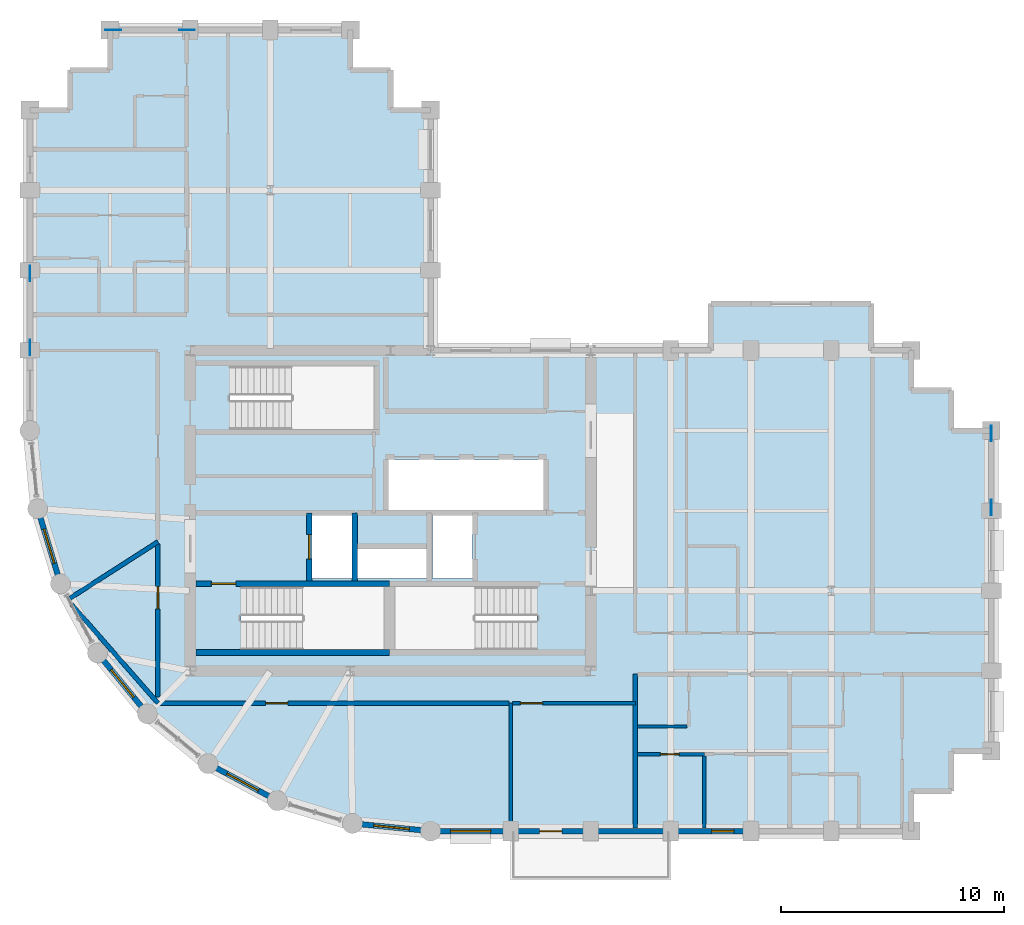
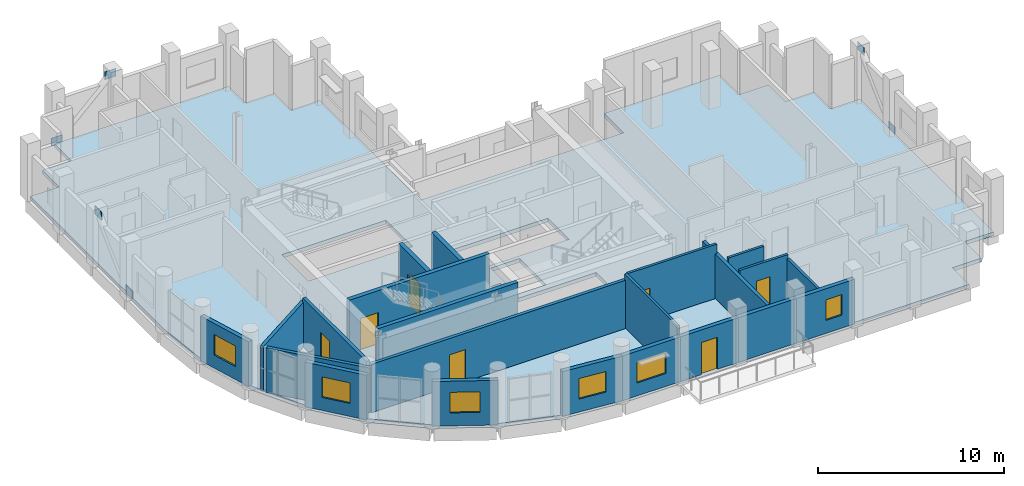
# One storey, part 6 of 12: 22 walls, 7 doors, 6 plates, 6 windows, 1 slab, 13 openings.
"""IFC4 building model written with IfcOpenShell, lengths in metres."""

from ifc_helpers import new_model, si_unit, direction, frame, frame_2d, origin, origin_2d, place, context, subcontext, project, spatial, polyline, rectangle, outline, extrude, material, layer, layer_set, type_object, element, fill, save


model = new_model("IFC4")

# Units and contexts
model_context = context("Model", 3, precision=1e-05, world=origin(), true_north=direction((0.0, 1.0)))
body_context = subcontext(model_context, "Body", "Model", "MODEL_VIEW")
ifc_project = project(units=[si_unit("LENGTHUNIT", "METRE"), si_unit("AREAUNIT", "SQUARE_METRE"), si_unit("VOLUMEUNIT", "CUBIC_METRE"), si_unit("PLANEANGLEUNIT", "RADIAN"), si_unit("MASSUNIT", "GRAM", prefix="KILO")], contexts=[model_context])

# Site, building, storey
site_placement = place(None, origin())
site = spatial("IfcSite", under=ifc_project, at=site_placement, CompositionType="ELEMENT")
building_placement = place(site_placement, origin())
building = spatial("IfcBuilding", under=site, at=building_placement, Name="Solnavia Interchange Tower", CompositionType="ELEMENT")
storey_placement = place(building_placement, frame((0.0, 0.0, 182.39990234375)))
storey = spatial("IfcBuildingStorey", under=building, at=storey_placement, Name="L45", CompositionType="ELEMENT", Elevation=182.39990234375)

# Plates
ifc_material_1 = material(Name="Steel S460", Category="steel")
ifc_layer_1 = layer(ifc_material_1, 0.030029296875)
ifc_layer_set_1 = layer_set([ifc_layer_1], Name="Steel S460")
plate_type = type_object("IfcPlateType", Name="Plate-Gusset-700x520x30", PredefinedType="USERDEFINED", material=ifc_layer_set_1)
for number, where, z_axis, x_axis, name in (
    (1, (7.199951171875, 25.340087890625, -0.079833984375), (0.0, 0.0, 1.0), (0.0, 1.0, 0.0), "PLT-L45-GP01 Perimeter brace gusset plate"),
    (2, (7.199951171875, 28.659912109375, 3.110107421875), (0.0, 0.0, 1.0), (0.0, 1.0, 0.0), "PLT-L45-GP02 Perimeter brace gusset plate"),
    (3, (50.39990234375, 18.139892578125, -0.079833984375), (0.0, 0.0, 1.0), (0.0, 1.0, 0.0), "PLT-L45-GP03 Perimeter brace gusset plate"),
    (4, (50.39990234375, 21.4599609375, 3.110107421875), (0.0, 0.0, 1.0), (0.0, 1.0, 0.0), "PLT-L45-GP04 Perimeter brace gusset plate"),
    (5, (10.93994140625, 39.60009765625, -0.079833984375), (0.0, 0.0, 1.0), (1.0, 0.0, 0.0), "PLT-L45-GP05 Perimeter brace gusset plate"),
    (6, (14.260009765625, 39.60009765625, 3.110107421875), (0.0, 0.0, 1.0), (1.0, 0.0, 0.0), "PLT-L45-GP06 Perimeter brace gusset plate"),
):
    element("IfcPlate", number, at=place(storey_placement, frame(where, z_axis=z_axis, x_axis=x_axis)), inside=storey, type_object=plate_type, Name=name, ObjectType="GUSSET PLATE", PredefinedType="USERDEFINED", context=body_context, shape_type="SweptSolid", body=[
        extrude(rectangle(XDim=0.699951171875, YDim=0.030029296875, at=origin_2d()), origin(), (0.0, 0.0, 1.0), 0.52001953125),
    ])

# Slab
ifc_material_2 = material(Name="Concrete C40/50", Category="concrete")
ifc_layer_2 = layer(ifc_material_2, 0.25)
ifc_layer_set_2 = layer_set([ifc_layer_2], Name="Concrete C40/50")
slab_type = type_object("IfcSlabType", Name="Slab-Tower-250", PredefinedType="FLOOR", material=ifc_layer_set_2)
slab_placement = place(storey_placement, frame((0.0, 0.0, -0.25)))
element("IfcSlab", 7, at=slab_placement, inside=storey, type_object=slab_type, Name="SLB-L45-01 Structural floor slab", PredefinedType="FLOOR", context=body_context, shape_type="SweptSolid", body=[
    extrude(outline(polyline([(25.199951171875, 3.60009765625), (46.800048828125, 3.60009765625), (46.800048828125, 5.39990234375), (48.60009765625, 5.39990234375), (48.60009765625, 7.199951171875), (50.39990234375, 7.199951171875), (50.39990234375, 21.60009765625), (48.60009765625, 21.60009765625), (48.60009765625, 23.39990234375), (46.800048828125, 23.39990234375), (46.800048828125, 25.199951171875), (45.0, 25.199951171875), (45.0, 27.300048828125), (37.800048828125, 27.300048828125), (37.800048828125, 25.199951171875), (25.199951171875, 25.199951171875), (25.199951171875, 36.0), (23.39990234375, 36.0), (23.39990234375, 37.800048828125), (21.60009765625, 37.800048828125), (21.60009765625, 39.60009765625), (10.800048828125, 39.60009765625), (10.800048828125, 37.800048828125), (9.0, 37.800048828125), (9.0, 36.0), (7.199951171875, 36.0), (7.199951171875, 21.60009765625), (7.5458984375, 18.087890625), (8.570068359375, 14.7119140625), (10.23388671875, 11.60009765625), (12.471923828125, 8.8720703125), (15.199951171875, 6.634033203125), (18.31201171875, 4.969970703125), (21.68798828125, 3.946044921875), (25.199951171875, 3.60009765625)]), holes=[polyline([(16.675048828125, 11.75), (23.10009765625, 11.75), (23.10009765625, 14.590087890625), (16.675048828125, 14.590087890625), (16.675048828125, 11.75)]), polyline([(23.60009765625, 11.75), (29.97509765625, 11.75), (29.97509765625, 14.590087890625), (23.60009765625, 14.590087890625), (23.60009765625, 11.75)]), polyline([(16.175048828125, 21.64990234375), (22.64990234375, 21.64990234375), (22.64990234375, 24.489990234375), (16.175048828125, 24.489990234375), (16.175048828125, 21.64990234375)]), polyline([(19.8798828125, 14.9599609375), (21.679931640625, 14.9599609375), (21.679931640625, 17.780029296875), (19.8798828125, 17.780029296875), (19.8798828125, 14.9599609375)]), polyline([(25.280029296875, 14.9599609375), (27.080078125, 14.9599609375), (27.080078125, 17.780029296875), (25.280029296875, 17.780029296875), (25.280029296875, 14.9599609375)]), polyline([(21.919921875, 14.9599609375), (25.02001953125, 14.9599609375), (25.02001953125, 16.280029296875), (21.919921875, 16.280029296875), (21.919921875, 14.9599609375)]), polyline([(23.300048828125, 18.02001953125), (30.280029296875, 18.02001953125), (30.280029296875, 20.300048828125), (23.300048828125, 20.300048828125), (23.300048828125, 18.02001953125)])]), origin(), (0.0, 0.0, 1.0), 0.25),
])

# Walls
ifc_material_3 = material(Name="Gypsum Acoustic Twin-Stud & Mineral Wool", Category="gypsum")
ifc_layer_3 = layer(ifc_material_3, 0.199951171875)
ifc_layer_set_3 = layer_set([ifc_layer_3], Name="Gypsum Acoustic Twin-Stud & Mineral Wool")
wall_type_1 = type_object("IfcWallType", Name="Wall-ApartmentParty-200", PredefinedType="PARTITIONING", material=ifc_layer_set_3)
wall_1_placement = place(storey_placement, frame((12.949951171875, 9.35009765625, 0.0), z_axis=(0.0, 0.0, 1.0), x_axis=(-0.658627575343, 0.752469080426, 0.0)))
element("IfcWall", 8, at=wall_1_placement, inside=storey, type_object=wall_type_1, Name="PTW-L45-09 Interior partition wall", PredefinedType="PARTITIONING", context=body_context, shape_type="SweptSolid", body=[
    extrude(rectangle(XDim=5.903076171875, YDim=0.199951171875, at=frame_2d((2.95166015625, 0.0))), origin(), (0.0, 0.0, 1.0), 2.93017578125),
])
wall_2_placement = place(storey_placement, frame((12.949951171875, 16.60009765625, 0.0), z_axis=(0.0, 0.0, 1.0), x_axis=(-0.841684109651, -0.539970239515, 0.0)))
element("IfcWall", 9, at=wall_2_placement, inside=storey, type_object=wall_type_1, Name="PTW-L45-10 Interior partition wall", PredefinedType="PARTITIONING", context=body_context, shape_type="SweptSolid", body=[
    extrude(rectangle(XDim=4.828369140625, YDim=0.199951171875, at=frame_2d((2.4140625, 0.0))), origin(), (0.0, 0.0, 1.0), 2.93017578125),
])

# Wall, opening, door
wall_3_placement = place(storey_placement, frame((12.949951171875, 9.623291015625, 0.0), z_axis=(0.0, 0.0, 1.0), x_axis=(0.0, 1.0, 0.0)))
wall_3 = element("IfcWall", 10, at=wall_3_placement, inside=storey, type_object=wall_type_1, Name="PTW-L45-12 Interior partition wall", PredefinedType="PARTITIONING", context=body_context, shape_type="SweptSolid", body=[
    extrude(rectangle(XDim=6.872802734375, YDim=0.199951171875, at=frame_2d((3.4365234375, 0.0))), origin(), (0.0, 0.0, 1.0), 3.170166015625),
])
opening_1_placement = place(wall_3_placement, frame((3.9580078125, 0.0, 0.0)))
opening_1 = element("IfcOpeningElement", 11, at=opening_1_placement, cuts=wall_3, Name="Opening DR-07", PredefinedType="OPENING", context=body_context, shape_type="SweptSolid", body=[
    extrude(rectangle(XDim=1.0, YDim=2.10009765625, at=frame_2d((0.5, 1.050048828125))), frame((0.0, 0.10986328125, 0.0), z_axis=(0.0, -1.0, 0.0), x_axis=(1.0, 0.0, 0.0)), (0.0, 0.0, 1.0), 0.219970703125),
])
ifc_material_4 = material(Name="Timber & Acoustic Glazed Office Door", Category="wood")
door_type_1 = type_object("IfcDoorType", Name="Door-Office-1000x2100", OperationType="SINGLE_SWING_RIGHT", PredefinedType="DOOR", material=ifc_material_4)
door_1_placement = place(opening_1_placement, origin())
door_1 = element("IfcDoor", 12, at=door_1_placement, inside=storey, type_object=door_type_1, Name="DR-L45-04 Interior room door", OperationType="SINGLE_SWING_RIGHT", OverallHeight=2.10009765625, OverallWidth=1.0, PredefinedType="DOOR", context=body_context, shape_type="SweptSolid", body=[
    extrude(rectangle(XDim=1.0, YDim=2.10009765625, at=frame_2d((0.5, 1.050048828125))), frame((0.0, 0.02490234375, 0.0), z_axis=(0.0, -1.0, 0.0), x_axis=(1.0, 0.0, 0.0)), (0.0, 0.0, 1.0), 0.050048828125),
])
fill(opening_1, door_1)

wall_4_placement = place(storey_placement, frame((12.949951171875, 9.35009765625, 0.0), z_axis=(0.0, 0.0, 1.0), x_axis=(1.0, 0.0, 0.0)))
wall_4 = element("IfcWall", 13, at=wall_4_placement, inside=storey, type_object=wall_type_1, Name="PTW-L45-13 Interior partition wall", PredefinedType="PARTITIONING", context=body_context, shape_type="SweptSolid", body=[
    extrude(rectangle(XDim=15.77099609375, YDim=0.199951171875, at=frame_2d((7.885498046875, 0.0))), origin(), (0.0, 0.0, 1.0), 3.170166015625),
])
opening_2_placement = place(wall_4_placement, frame((4.8359375, 0.0, 0.0)))
opening_2 = element("IfcOpeningElement", 14, at=opening_2_placement, cuts=wall_4, Name="Opening DR-07", PredefinedType="OPENING", context=body_context, shape_type="SweptSolid", body=[
    extrude(rectangle(XDim=1.0, YDim=2.10009765625, at=frame_2d((0.5, 1.050048828125))), frame((0.0, 0.10986328125, 0.0), z_axis=(0.0, -1.0, 0.0), x_axis=(1.0, 0.0, 0.0)), (0.0, 0.0, 1.0), 0.219970703125),
])
door_2_placement = place(opening_2_placement, origin())
door_2 = element("IfcDoor", 15, at=door_2_placement, inside=storey, type_object=door_type_1, Name="DR-L45-05 Interior room door", OperationType="SINGLE_SWING_LEFT", OverallHeight=2.10009765625, OverallWidth=1.0, PredefinedType="DOOR", context=body_context, shape_type="SweptSolid", body=[
    extrude(rectangle(XDim=1.0, YDim=2.10009765625, at=frame_2d((0.5, 1.050048828125))), frame((0.0, 0.02490234375, 0.0), z_axis=(0.0, -1.0, 0.0), x_axis=(1.0, 0.0, 0.0)), (0.0, 0.0, 1.0), 0.050048828125),
])
fill(opening_2, door_2)

# Wall
wall_5_placement = place(storey_placement, frame((34.39990234375, 3.72900390625, 0.0), z_axis=(0.0, 0.0, 1.0), x_axis=(0.0, 1.0, 0.0)))
element("IfcWall", 16, at=wall_5_placement, inside=storey, type_object=wall_type_1, Name="PTW-L45-15 Interior partition wall", PredefinedType="PARTITIONING", context=body_context, shape_type="SweptSolid", body=[
    extrude(rectangle(XDim=6.9208984375, YDim=0.199951171875, at=frame_2d((3.46044921875, 0.0))), origin(), (0.0, 0.0, 1.0), 2.93017578125),
])

# Wall, opening, window
ifc_layer_4 = layer(ifc_material_2, 0.25)
ifc_layer_set_4 = layer_set([ifc_layer_4], Name="Concrete C40/50")
wall_type_2 = type_object("IfcWallType", Name="Wall-ExtSpandrel-250", PredefinedType="STANDARD", material=ifc_layer_set_4)
wall_6_placement = place(storey_placement, frame((28.800048828125, 3.60009765625, 0.0), z_axis=(0.0, 0.0, 1.0), x_axis=(-1.0, 0.0, 0.0)))
wall_6 = element("IfcWall", 17, at=wall_6_placement, inside=storey, type_object=wall_type_2, Name="EXW-L45-01 Exterior precast spandrel wall", PredefinedType="STANDARD", context=body_context, shape_type="SweptSolid", body=[
    extrude(rectangle(XDim=3.60009765625, YDim=0.25, at=frame_2d((1.800048828125, 0.0))), origin(), (0.0, 0.0, 1.0), 2.93017578125),
])
opening_3_placement = place(wall_6_placement, frame((0.89990234375, 0.0, 0.85009765625)))
opening_3 = element("IfcOpeningElement", 18, at=opening_3_placement, cuts=wall_6, Name="Opening WIN-02", PredefinedType="OPENING", context=body_context, shape_type="SweptSolid", body=[
    extrude(rectangle(XDim=1.800048828125, YDim=1.35009765625, at=frame_2d((0.89990234375, 0.675048828125))), frame((0.0, 0.135009765625, 0.0), z_axis=(0.0, -1.0, 0.0), x_axis=(1.0, 0.0, 0.0)), (0.0, 0.0, 1.0), 0.27001953125),
])
ifc_material_5 = material(Name="Thermal-Break Aluminium & Low-E Glass", Category="aluminium")
window_type_1 = type_object("IfcWindowType", Name="Window-Ribbon-1800x1350", PartitioningType="SINGLE_PANEL", PredefinedType="WINDOW", material=ifc_material_5)
window_1_placement = place(opening_3_placement, origin())
window_1 = element("IfcWindow", 19, at=window_1_placement, inside=storey, type_object=window_type_1, Name="WIN-L45-01 Facade ribbon window", OverallHeight=1.35009765625, OverallWidth=1.800048828125, PartitioningType="SINGLE_PANEL", PredefinedType="WINDOW", context=body_context, shape_type="SweptSolid", body=[
    extrude(rectangle(XDim=1.800048828125, YDim=1.35009765625, at=frame_2d((0.89990234375, 0.675048828125))), frame((0.0, 0.030029296875, 0.0), z_axis=(0.0, -1.0, 0.0), x_axis=(1.0, 0.0, 0.0)), (0.0, 0.0, 1.0), 0.06005859375),
])
fill(opening_3, window_1)

# Wall, opening, door
wall_7_placement = place(storey_placement, frame((32.39990234375, 3.60009765625, 0.0), z_axis=(0.0, 0.0, 1.0), x_axis=(-1.0, 0.0, 0.0)))
wall_7 = element("IfcWall", 20, at=wall_7_placement, inside=storey, type_object=wall_type_2, Name="EXW-L45-02 Exterior precast spandrel wall", PredefinedType="STANDARD", context=body_context, shape_type="SweptSolid", body=[
    extrude(rectangle(XDim=3.599853515625, YDim=0.25, at=frame_2d((1.7998046875, 0.0))), origin(), (0.0, 0.0, 1.0), 2.93017578125),
])
opening_4_placement = place(wall_7_placement, frame((1.300048828125, 0.0, 0.0)))
opening_4 = element("IfcOpeningElement", 21, at=opening_4_placement, cuts=wall_7, Name="Opening EXD-05", PredefinedType="OPENING", context=body_context, shape_type="SweptSolid", body=[
    extrude(rectangle(XDim=1.0, YDim=2.10009765625, at=frame_2d((0.5, 1.050048828125))), frame((0.0, 0.135009765625, 0.0), z_axis=(0.0, -1.0, 0.0), x_axis=(1.0, 0.0, 0.0)), (0.0, 0.0, 1.0), 0.27001953125),
])
ifc_material_6 = material(Name="Thermally Broken Aluminium & Laminated Glass", Category="aluminium")
door_type_2 = type_object("IfcDoorType", Name="Door-TerraceSingle-1000x2100", OperationType="SINGLE_SWING_LEFT", PredefinedType="DOOR", material=ifc_material_6)
door_3_placement = place(opening_4_placement, origin())
door_3 = element("IfcDoor", 22, at=door_3_placement, inside=storey, type_object=door_type_2, Name="EXD-L45-TER Spiral terrace glazed door", OperationType="SINGLE_SWING_LEFT", OverallHeight=2.10009765625, OverallWidth=1.0, PredefinedType="DOOR", context=body_context, shape_type="SweptSolid", body=[
    extrude(rectangle(XDim=1.0, YDim=2.10009765625, at=frame_2d((0.5, 1.050048828125))), frame((0.0, 0.02490234375, 0.0), z_axis=(0.0, -1.0, 0.0), x_axis=(1.0, 0.0, 0.0)), (0.0, 0.0, 1.0), 0.050048828125),
])
fill(opening_4, door_3)

# Wall
wall_8_placement = place(storey_placement, frame((36.0, 3.60009765625, 0.0), z_axis=(0.0, 0.0, 1.0), x_axis=(-1.0, 0.0, 0.0)))
element("IfcWall", 23, at=wall_8_placement, inside=storey, type_object=wall_type_2, Name="EXW-L45-03 Exterior precast spandrel wall", PredefinedType="STANDARD", context=body_context, shape_type="SweptSolid", body=[
    extrude(rectangle(XDim=3.60009765625, YDim=0.25, at=frame_2d((1.800048828125, 0.0))), origin(), (0.0, 0.0, 1.0), 2.93017578125),
])

# Wall, opening, window
wall_9_placement = place(storey_placement, frame((39.60009765625, 3.60009765625, 0.0), z_axis=(0.0, 0.0, 1.0), x_axis=(-1.0, 0.0, 0.0)))
wall_9 = element("IfcWall", 24, at=wall_9_placement, inside=storey, type_object=wall_type_2, Name="EXW-L45-04 Exterior precast spandrel wall", PredefinedType="STANDARD", context=body_context, shape_type="SweptSolid", body=[
    extrude(rectangle(XDim=3.60009765625, YDim=0.25, at=frame_2d((1.800048828125, 0.0))), origin(), (0.0, 0.0, 1.0), 2.93017578125),
])
opening_5_placement = place(wall_9_placement, frame((0.76904296875, 0.0, 0.85009765625)))
opening_5 = element("IfcOpeningElement", 25, at=opening_5_placement, cuts=wall_9, Name="Opening WIN-07", PredefinedType="OPENING", context=body_context, shape_type="SweptSolid", body=[
    extrude(rectangle(XDim=1.0, YDim=1.35009765625, at=frame_2d((0.5, 0.675048828125))), frame((0.0, 0.135009765625, 0.0), z_axis=(0.0, -1.0, 0.0), x_axis=(1.0, 0.0, 0.0)), (0.0, 0.0, 1.0), 0.27001953125),
])
window_type_2 = type_object("IfcWindowType", Name="Window-Bedroom-1000x1350", PartitioningType="SINGLE_PANEL", PredefinedType="WINDOW", material=ifc_material_5)
window_2_placement = place(opening_5_placement, origin())
window_2 = element("IfcWindow", 26, at=window_2_placement, inside=storey, type_object=window_type_2, Name="WIN-L45-DW01 Dwelling bedroom window", OverallHeight=1.35009765625, OverallWidth=1.0, PartitioningType="SINGLE_PANEL", PredefinedType="WINDOW", context=body_context, shape_type="SweptSolid", body=[
    extrude(rectangle(XDim=1.0, YDim=1.35009765625, at=frame_2d((0.5, 0.675048828125))), frame((0.0, 0.030029296875, 0.0), z_axis=(0.0, -1.0, 0.0), x_axis=(1.0, 0.0, 0.0)), (0.0, 0.0, 1.0), 0.06005859375),
])
fill(opening_5, window_2)

wall_10_placement = place(storey_placement, frame((8.570068359375, 14.7119140625, 0.0), z_axis=(0.0, 0.0, 1.0), x_axis=(-0.290305086481, 0.956934144423, 0.0)))
wall_10 = element("IfcWall", 27, at=wall_10_placement, inside=storey, type_object=wall_type_2, Name="EXW-L45-48 Exterior precast spandrel wall", PredefinedType="STANDARD", context=body_context, shape_type="SweptSolid", body=[
    extrude(rectangle(XDim=3.52783203125, YDim=0.25, at=frame_2d((1.763916015625, 0.0))), origin(), (0.0, 0.0, 1.0), 2.93017578125),
])
opening_6_placement = place(wall_10_placement, frame((0.964111328125, 0.0, 0.85009765625)))
opening_6 = element("IfcOpeningElement", 28, at=opening_6_placement, cuts=wall_10, Name="Opening WIN-04", PredefinedType="OPENING", context=body_context, shape_type="SweptSolid", body=[
    extrude(rectangle(XDim=1.60009765625, YDim=1.35009765625, at=frame_2d((0.800048828125, 0.675048828125))), frame((0.0, 0.135009765625, 0.0), z_axis=(0.0, -1.0, 0.0), x_axis=(1.0, 0.0, 0.0)), (0.0, 0.0, 1.0), 0.27001953125),
])
window_type_3 = type_object("IfcWindowType", Name="Window-Drum-1600x1350", PartitioningType="SINGLE_PANEL", PredefinedType="WINDOW", material=ifc_material_5)
window_3_placement = place(opening_6_placement, origin())
window_3 = element("IfcWindow", 29, at=window_3_placement, inside=storey, type_object=window_type_3, Name="WIN-L45-48 Facade ribbon window", OverallHeight=1.35009765625, OverallWidth=1.60009765625, PartitioningType="SINGLE_PANEL", PredefinedType="WINDOW", context=body_context, shape_type="SweptSolid", body=[
    extrude(rectangle(XDim=1.60009765625, YDim=1.35009765625, at=frame_2d((0.800048828125, 0.675048828125))), frame((0.0, 0.030029296875, 0.0), z_axis=(0.0, -1.0, 0.0), x_axis=(1.0, 0.0, 0.0)), (0.0, 0.0, 1.0), 0.06005859375),
])
fill(opening_6, window_3)

wall_11_placement = place(storey_placement, frame((12.471923828125, 8.8720703125, 0.0), z_axis=(0.0, 0.0, 1.0), x_axis=(-0.634258295121, 0.773121216285, 0.0)))
wall_11 = element("IfcWall", 30, at=wall_11_placement, inside=storey, type_object=wall_type_2, Name="EXW-L45-50 Exterior precast spandrel wall", PredefinedType="STANDARD", context=body_context, shape_type="SweptSolid", body=[
    extrude(rectangle(XDim=3.528564453125, YDim=0.25, at=frame_2d((1.76416015625, 0.0))), origin(), (0.0, 0.0, 1.0), 2.93017578125),
])
opening_7_placement = place(wall_11_placement, frame((0.964111328125, 0.0, 0.85009765625)))
opening_7 = element("IfcOpeningElement", 31, at=opening_7_placement, cuts=wall_11, Name="Opening WIN-04", PredefinedType="OPENING", context=body_context, shape_type="SweptSolid", body=[
    extrude(rectangle(XDim=1.60009765625, YDim=1.35009765625, at=frame_2d((0.800048828125, 0.675048828125))), frame((0.0, 0.135009765625, 0.0), z_axis=(0.0, -1.0, 0.0), x_axis=(1.0, 0.0, 0.0)), (0.0, 0.0, 1.0), 0.27001953125),
])
window_4_placement = place(opening_7_placement, origin())
window_4 = element("IfcWindow", 32, at=window_4_placement, inside=storey, type_object=window_type_3, Name="WIN-L45-50 Facade ribbon window", OverallHeight=1.35009765625, OverallWidth=1.60009765625, PartitioningType="SINGLE_PANEL", PredefinedType="WINDOW", context=body_context, shape_type="SweptSolid", body=[
    extrude(rectangle(XDim=1.60009765625, YDim=1.35009765625, at=frame_2d((0.800048828125, 0.675048828125))), frame((0.0, 0.030029296875, 0.0), z_axis=(0.0, -1.0, 0.0), x_axis=(1.0, 0.0, 0.0)), (0.0, 0.0, 1.0), 0.06005859375),
])
fill(opening_7, window_4)

wall_12_placement = place(storey_placement, frame((18.31201171875, 4.969970703125, 0.0), z_axis=(0.0, 0.0, 1.0), x_axis=(-0.881846862014, 0.471535907389, 0.0)))
wall_12 = element("IfcWall", 33, at=wall_12_placement, inside=storey, type_object=wall_type_2, Name="EXW-L45-52 Exterior precast spandrel wall", PredefinedType="STANDARD", context=body_context, shape_type="SweptSolid", body=[
    extrude(rectangle(XDim=3.529052734375, YDim=0.25, at=frame_2d((1.7646484375, 0.0))), origin(), (0.0, 0.0, 1.0), 2.93017578125),
])
opening_8_placement = place(wall_12_placement, frame((0.964111328125, 0.0, 0.85009765625)))
opening_8 = element("IfcOpeningElement", 34, at=opening_8_placement, cuts=wall_12, Name="Opening WIN-04", PredefinedType="OPENING", context=body_context, shape_type="SweptSolid", body=[
    extrude(rectangle(XDim=1.60009765625, YDim=1.35009765625, at=frame_2d((0.800048828125, 0.675048828125))), frame((0.0, 0.135009765625, 0.0), z_axis=(0.0, -1.0, 0.0), x_axis=(1.0, 0.0, 0.0)), (0.0, 0.0, 1.0), 0.27001953125),
])
window_5_placement = place(opening_8_placement, origin())
window_5 = element("IfcWindow", 35, at=window_5_placement, inside=storey, type_object=window_type_3, Name="WIN-L45-52 Facade ribbon window", OverallHeight=1.35009765625, OverallWidth=1.60009765625, PartitioningType="SINGLE_PANEL", PredefinedType="WINDOW", context=body_context, shape_type="SweptSolid", body=[
    extrude(rectangle(XDim=1.60009765625, YDim=1.35009765625, at=frame_2d((0.800048828125, 0.675048828125))), frame((0.0, 0.030029296875, 0.0), z_axis=(0.0, -1.0, 0.0), x_axis=(1.0, 0.0, 0.0)), (0.0, 0.0, 1.0), 0.06005859375),
])
fill(opening_8, window_5)

wall_13_placement = place(storey_placement, frame((25.199951171875, 3.60009765625, 0.0), z_axis=(0.0, 0.0, 1.0), x_axis=(-0.995183369056, 0.098030923459, 0.0)))
wall_13 = element("IfcWall", 36, at=wall_13_placement, inside=storey, type_object=wall_type_2, Name="EXW-L45-54 Exterior precast spandrel wall", PredefinedType="STANDARD", context=body_context, shape_type="SweptSolid", body=[
    extrude(rectangle(XDim=3.529052734375, YDim=0.25, at=frame_2d((1.7646484375, 0.0))), origin(), (0.0, 0.0, 1.0), 2.93017578125),
])
opening_9_placement = place(wall_13_placement, frame((0.965087890625, 0.0, 0.85009765625)))
opening_9 = element("IfcOpeningElement", 37, at=opening_9_placement, cuts=wall_13, Name="Opening WIN-04", PredefinedType="OPENING", context=body_context, shape_type="SweptSolid", body=[
    extrude(rectangle(XDim=1.60009765625, YDim=1.35009765625, at=frame_2d((0.800048828125, 0.675048828125))), frame((0.0, 0.135009765625, 0.0), z_axis=(0.0, -1.0, 0.0), x_axis=(1.0, 0.0, 0.0)), (0.0, 0.0, 1.0), 0.27001953125),
])
window_6_placement = place(opening_9_placement, origin())
window_6 = element("IfcWindow", 38, at=window_6_placement, inside=storey, type_object=window_type_3, Name="WIN-L45-54 Facade ribbon window", OverallHeight=1.35009765625, OverallWidth=1.60009765625, PartitioningType="SINGLE_PANEL", PredefinedType="WINDOW", context=body_context, shape_type="SweptSolid", body=[
    extrude(rectangle(XDim=1.60009765625, YDim=1.35009765625, at=frame_2d((0.800048828125, 0.675048828125))), frame((0.0, 0.030029296875, 0.0), z_axis=(0.0, -1.0, 0.0), x_axis=(1.0, 0.0, 0.0)), (0.0, 0.0, 1.0), 0.06005859375),
])
fill(opening_9, window_6)

# Wall
ifc_material_7 = material(Name="Gypsum Plasterboard & Steel Stud", Category="steel")
ifc_layer_5 = layer(ifc_material_7, 0.14990234375)
ifc_layer_set_5 = layer_set([ifc_layer_5], Name="Gypsum Plasterboard & Steel Stud")
wall_type_3 = type_object("IfcWallType", Name="Wall-Partition-150", PredefinedType="PARTITIONING", material=ifc_layer_set_5)
wall_14_placement = place(storey_placement, frame((28.800048828125, 9.35009765625, 0.0), z_axis=(0.0, 0.0, 1.0), x_axis=(0.0, -1.0, 0.0)))
element("IfcWall", 39, at=wall_14_placement, inside=storey, type_object=wall_type_3, Name="PTW-L45-08 Interior partition wall", PredefinedType="PARTITIONING", context=body_context, shape_type="SweptSolid", body=[
    extrude(rectangle(XDim=5.62109375, YDim=0.14990234375, at=frame_2d((2.810546875, 0.0))), origin(), (0.0, 0.0, 1.0), 3.53515625),
])

# Wall, opening, door
wall_15_placement = place(storey_placement, frame((28.87890625, 9.35009765625, 0.0), z_axis=(0.0, 0.0, 1.0), x_axis=(1.0, 0.0, 0.0)))
wall_15 = element("IfcWall", 40, at=wall_15_placement, inside=storey, type_object=wall_type_3, Name="PTW-L45-14 Interior partition wall", PredefinedType="PARTITIONING", context=body_context, shape_type="SweptSolid", body=[
    extrude(rectangle(XDim=5.52099609375, YDim=0.14990234375, at=frame_2d((2.760498046875, 0.0))), origin(), (0.0, 0.0, 1.0), 3.53515625),
])
opening_10_placement = place(wall_15_placement, frame((0.360107421875, 0.0, 0.0)))
opening_10 = element("IfcOpeningElement", 41, at=opening_10_placement, cuts=wall_15, Name="Opening DR-07", PredefinedType="OPENING", context=body_context, shape_type="SweptSolid", body=[
    extrude(rectangle(XDim=1.0, YDim=2.10009765625, at=frame_2d((0.5, 1.050048828125))), frame((0.0, 0.0849609375, 0.0), z_axis=(0.0, -1.0, 0.0), x_axis=(1.0, 0.0, 0.0)), (0.0, 0.0, 1.0), 0.169921875),
])
door_4_placement = place(opening_10_placement, origin())
door_4 = element("IfcDoor", 42, at=door_4_placement, inside=storey, type_object=door_type_1, Name="DR-L45-06 Interior room door", OperationType="SINGLE_SWING_LEFT", OverallHeight=2.10009765625, OverallWidth=1.0, PredefinedType="DOOR", context=body_context, shape_type="SweptSolid", body=[
    extrude(rectangle(XDim=1.0, YDim=2.10009765625, at=frame_2d((0.5, 1.050048828125))), frame((0.0, 0.02490234375, 0.0), z_axis=(0.0, -1.0, 0.0), x_axis=(1.0, 0.0, 0.0)), (0.0, 0.0, 1.0), 0.050048828125),
])
fill(opening_10, door_4)

# Wall
ifc_layer_6 = layer(ifc_material_2, 0.25)
ifc_layer_set_6 = layer_set([ifc_layer_6], Name="Concrete C40/50")
wall_type_4 = type_object("IfcWallType", Name="Wall-ShaftCore-250", PredefinedType="SHEAR", material=ifc_layer_set_6)
wall_16_placement = place(storey_placement, frame((14.64990234375, 11.625, 0.0), z_axis=(0.0, 0.0, 1.0), x_axis=(1.0, 0.0, 0.0)))
element("IfcWall", 43, at=wall_16_placement, inside=storey, type_object=wall_type_4, Name="SHW-L45-ST1S Core shear wall", PredefinedType="SHEAR", context=body_context, shape_type="SweptSolid", body=[
    extrude(rectangle(XDim=8.7001953125, YDim=0.25, at=frame_2d((4.35009765625, 0.0))), origin(), (0.0, 0.0, 1.0), 3.550048828125),
])

# Wall, opening, door
wall_17_placement = place(storey_placement, frame((14.64990234375, 14.715087890625, 0.0), z_axis=(0.0, 0.0, 1.0), x_axis=(1.0, 0.0, 0.0)))
wall_17 = element("IfcWall", 44, at=wall_17_placement, inside=storey, type_object=wall_type_4, Name="SHW-L45-ST1N Core shear wall", PredefinedType="SHEAR", context=body_context, shape_type="SweptSolid", body=[
    extrude(rectangle(XDim=8.7001953125, YDim=0.25, at=frame_2d((4.35009765625, 0.0))), origin(), (0.0, 0.0, 1.0), 3.550048828125),
])
opening_11_placement = place(wall_17_placement, frame((0.705078125, 0.0, 0.0)))
opening_11 = element("IfcOpeningElement", 45, at=opening_11_placement, cuts=wall_17, Name="Opening DR-01", PredefinedType="OPENING", context=body_context, shape_type="SweptSolid", body=[
    extrude(rectangle(XDim=1.10009765625, YDim=2.10009765625, at=frame_2d((0.550048828125, 1.050048828125))), frame((0.0, 0.135009765625, 0.0), z_axis=(0.0, -1.0, 0.0), x_axis=(1.0, 0.0, 0.0)), (0.0, 0.0, 1.0), 0.27001953125),
])
ifc_material_8 = material(Name="Steel Fire-Rated Leaf & Frame", Category="steel")
door_type_3 = type_object("IfcDoorType", Name="Door-StairFire-1100x2100", OperationType="SINGLE_SWING_LEFT", PredefinedType="DOOR", material=ifc_material_8)
door_5_placement = place(opening_11_placement, origin())
door_5 = element("IfcDoor", 46, at=door_5_placement, inside=storey, type_object=door_type_3, Name="DR-L45-ST1 Core fire door", OperationType="SINGLE_SWING_LEFT", OverallHeight=2.10009765625, OverallWidth=1.10009765625, PredefinedType="DOOR", context=body_context, shape_type="SweptSolid", body=[
    extrude(rectangle(XDim=1.10009765625, YDim=2.10009765625, at=frame_2d((0.550048828125, 1.050048828125))), frame((0.0, 0.02490234375, 0.0), z_axis=(0.0, -1.0, 0.0), x_axis=(1.0, 0.0, 0.0)), (0.0, 0.0, 1.0), 0.050048828125),
])
fill(opening_11, door_5)

ifc_layer_7 = layer(ifc_material_2, 0.25)
ifc_layer_set_7 = layer_set([ifc_layer_7], Name="Concrete C40/50")
wall_type_5 = type_object("IfcWallType", Name="Wall-ShaftPart-250", PredefinedType="PARTITIONING", material=ifc_layer_set_7)
wall_18_placement = place(storey_placement, frame((19.75, 14.840087890625, 0.0), z_axis=(0.0, 0.0, 1.0), x_axis=(0.0, 1.0, 0.0)))
wall_18 = element("IfcWall", 47, at=wall_18_placement, inside=storey, type_object=wall_type_5, Name="SHW-L45-FFL1-W Core shaft wall", PredefinedType="PARTITIONING", context=body_context, shape_type="SweptSolid", body=[
    extrude(rectangle(XDim=3.059814453125, YDim=0.25, at=frame_2d((1.52978515625, 0.0))), origin(), (0.0, 0.0, 1.0), 3.53515625),
])
opening_12_placement = place(wall_18_placement, frame((0.97998046875, 0.0, 0.0)))
opening_12 = element("IfcOpeningElement", 48, at=opening_12_placement, cuts=wall_18, Name="Opening LD-01", PredefinedType="OPENING", context=body_context, shape_type="SweptSolid", body=[
    extrude(rectangle(XDim=1.10009765625, YDim=2.10009765625, at=frame_2d((0.550048828125, 1.050048828125))), frame((0.0, 0.135009765625, 0.0), z_axis=(0.0, -1.0, 0.0), x_axis=(1.0, 0.0, 0.0)), (0.0, 0.0, 1.0), 0.27001953125),
])
ifc_material_9 = material(Name="Brushed Stainless Steel Sliding Door", Category="steel")
door_type_4 = type_object("IfcDoorType", Name="Door-LiftLanding-1100x2100", OperationType="SLIDING_TO_LEFT", PredefinedType="DOOR", material=ifc_material_9)
door_6_placement = place(opening_12_placement, origin())
door_6 = element("IfcDoor", 49, at=door_6_placement, inside=storey, type_object=door_type_4, Name="LD-L45-FFL1 Lift landing sliding door", OperationType="SLIDING_TO_LEFT", OverallHeight=2.10009765625, OverallWidth=1.10009765625, PredefinedType="DOOR", context=body_context, shape_type="SweptSolid", body=[
    extrude(rectangle(XDim=1.10009765625, YDim=2.10009765625, at=frame_2d((0.550048828125, 1.050048828125))), frame((0.0, 0.02490234375, 0.0), z_axis=(0.0, -1.0, 0.0), x_axis=(1.0, 0.0, 0.0)), (0.0, 0.0, 1.0), 0.050048828125),
])
fill(opening_12, door_6)

# Walls
wall_19_placement = place(storey_placement, frame((21.800048828125, 14.840087890625, 0.0), z_axis=(0.0, 0.0, 1.0), x_axis=(0.0, 1.0, 0.0)))
element("IfcWall", 50, at=wall_19_placement, inside=storey, type_object=wall_type_5, Name="SHW-L45-FFL1-E Core shaft wall", PredefinedType="PARTITIONING", context=body_context, shape_type="SweptSolid", body=[
    extrude(rectangle(XDim=3.059814453125, YDim=0.25, at=frame_2d((1.52978515625, 0.0))), origin(), (0.0, 0.0, 1.0), 3.53515625),
])
ifc_material_10 = material(Name="Moisture-Resistant Gypsum & Steel Stud", Category="steel")
ifc_layer_8 = layer(ifc_material_10, 0.14990234375)
ifc_layer_set_8 = layer_set([ifc_layer_8], Name="Moisture-Resistant Gypsum & Steel Stud")
wall_type_6 = type_object("IfcWallType", Name="Wall-WetRoom-150", PredefinedType="PARTITIONING", material=ifc_layer_set_8)
wall_20_placement = place(storey_placement, frame((34.50390625, 8.300048828125, 0.0), z_axis=(0.0, 0.0, 1.0), x_axis=(1.0, 0.0, 0.0)))
element("IfcWall", 51, at=wall_20_placement, inside=storey, type_object=wall_type_6, Name="PTW-L45-19 Interior partition wall", PredefinedType="PARTITIONING", context=body_context, shape_type="SweptSolid", body=[
    extrude(rectangle(XDim=2.217041015625, YDim=0.14990234375, at=frame_2d((1.1083984375, 0.0))), origin(), (0.0, 0.0, 1.0), 3.22021484375),
])

# Wall, opening, door
wall_21_placement = place(storey_placement, frame((34.50390625, 7.050048828125, 0.0), z_axis=(0.0, 0.0, 1.0), x_axis=(1.0, 0.0, 0.0)))
wall_21 = element("IfcWall", 52, at=wall_21_placement, inside=storey, type_object=wall_type_6, Name="PTW-L45-22 Interior partition wall", PredefinedType="PARTITIONING", context=body_context, shape_type="SweptSolid", body=[
    extrude(rectangle(XDim=2.99609375, YDim=0.14990234375, at=frame_2d((1.498046875, 0.0))), origin(), (0.0, 0.0, 1.0), 3.170166015625),
])
opening_13_placement = place(wall_21_placement, frame((1.02099609375, 0.0, 0.0)))
opening_13 = element("IfcOpeningElement", 53, at=opening_13_placement, cuts=wall_21, Name="Opening DR-10", PredefinedType="OPENING", context=body_context, shape_type="SweptSolid", body=[
    extrude(rectangle(XDim=0.85009765625, YDim=2.10009765625, at=frame_2d((0.425048828125, 1.050048828125))), frame((0.0, 0.0849609375, 0.0), z_axis=(0.0, -1.0, 0.0), x_axis=(1.0, 0.0, 0.0)), (0.0, 0.0, 1.0), 0.169921875),
])
ifc_material_11 = material(Name="Moisture-Resistant Timber Door", Category="wood")
door_type_5 = type_object("IfcDoorType", Name="Door-Bathroom-850x2100", OperationType="SINGLE_SWING_RIGHT", PredefinedType="DOOR", material=ifc_material_11)
door_7_placement = place(opening_13_placement, origin())
door_7 = element("IfcDoor", 54, at=door_7_placement, inside=storey, type_object=door_type_5, Name="DR-L45-10 Interior room door", OperationType="SINGLE_SWING_LEFT", OverallHeight=2.10009765625, OverallWidth=0.85009765625, PredefinedType="DOOR", context=body_context, shape_type="SweptSolid", body=[
    extrude(rectangle(XDim=0.85009765625, YDim=2.10009765625, at=frame_2d((0.425048828125, 1.050048828125))), frame((0.0, 0.02490234375, 0.0), z_axis=(0.0, -1.0, 0.0), x_axis=(1.0, 0.0, 0.0)), (0.0, 0.0, 1.0), 0.050048828125),
])
fill(opening_13, door_7)

# Wall
wall_22_placement = place(storey_placement, frame((37.5, 3.72900390625, 0.0), z_axis=(0.0, 0.0, 1.0), x_axis=(0.0, 1.0, 0.0)))
element("IfcWall", 55, at=wall_22_placement, inside=storey, type_object=wall_type_6, Name="PTW-L45-23 Interior partition wall", PredefinedType="PARTITIONING", context=body_context, shape_type="SweptSolid", body=[
    extrude(rectangle(XDim=3.241943359375, YDim=0.14990234375, at=frame_2d((1.62109375, 0.0))), origin(), (0.0, 0.0, 1.0), 2.93017578125),
])

save(model, "model.ifc")
